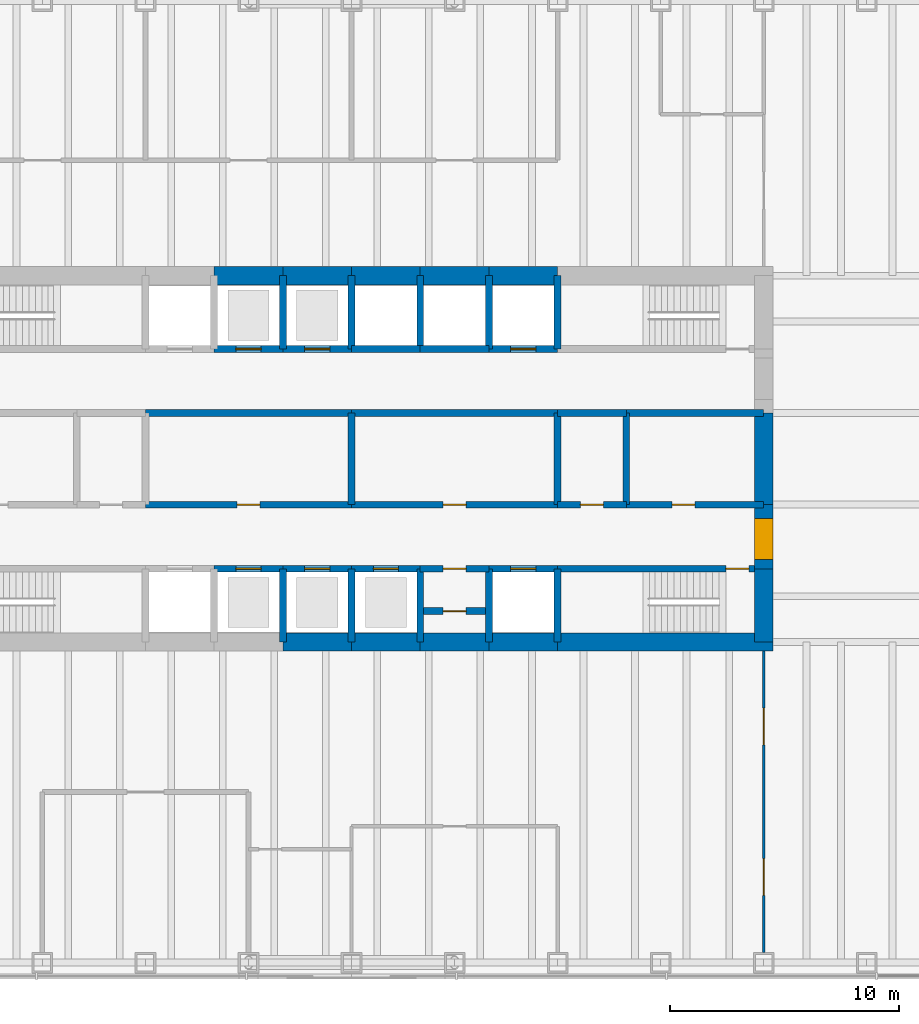
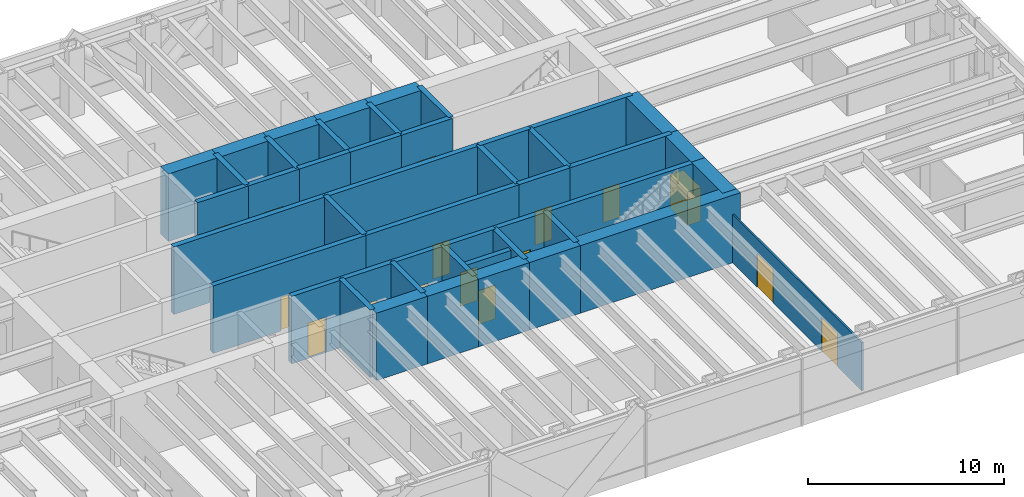
# One storey, part 10 of 14: 47 walls, 17 doors, 17 openings.
"""IFC4 building model written with IfcOpenShell, lengths in metres."""

from ifc_helpers import new_model, si_unit, direction, frame, frame_2d, origin, place, context, subcontext, project, spatial, rectangle, extrude, material, layer, layer_set, type_object, element, fill, save


model = new_model("IFC4")

# Units and contexts
model_context = context("Model", 3, precision=1e-05, world=origin(), true_north=direction((0.0, 1.0)))
body_context = subcontext(model_context, "Body", "Model", "MODEL_VIEW")
ifc_project = project(units=[si_unit("LENGTHUNIT", "METRE"), si_unit("AREAUNIT", "SQUARE_METRE"), si_unit("VOLUMEUNIT", "CUBIC_METRE"), si_unit("PLANEANGLEUNIT", "RADIAN"), si_unit("MASSUNIT", "GRAM", prefix="KILO")], contexts=[model_context])

# Site, building, storey
site_placement = place(None, origin())
site = spatial("IfcSite", under=ifc_project, at=site_placement, CompositionType="ELEMENT")
building_placement = place(site_placement, origin())
building = spatial("IfcBuilding", under=site, at=building_placement, Name="Rheinbord Bourse Tower", CompositionType="ELEMENT")
storey_placement = place(building_placement, frame((0.0, 0.0, 185.800048828125)))
storey = spatial("IfcBuildingStorey", under=building, at=storey_placement, Name="L41", CompositionType="ELEMENT", Elevation=185.800048828125)

# Wall, opening, door
ifc_material_1 = material(Name="Concrete C50/60", Category="concrete")
ifc_layer_1 = layer(ifc_material_1, 0.300048828125)
ifc_layer_set_1 = layer_set([ifc_layer_1], Name="CORE INNER WALL 300")
wall_type_1 = type_object("IfcWallType", Name="CORE INNER WALL 300", PredefinedType="SOLIDWALL", material=ifc_layer_set_1)
wall_1_placement = place(storey_placement, frame((30.0, 19.199951171875, 0.0), z_axis=(0.0, 0.0, 1.0), x_axis=(1.0, 0.0, 0.0)))
wall_1 = element("IfcWall", 1, at=wall_1_placement, inside=storey, type_object=wall_type_1, Name="Core wall A3 L41", PredefinedType="SOLIDWALL", context=body_context, shape_type="SweptSolid", body=[
    extrude(rectangle(XDim=3.0, YDim=0.300048828125, at=frame_2d((1.5, 0.0))), origin(), (0.0, 0.0, 1.0), 4.199951171875),
])
opening_1_placement = place(wall_1_placement, frame((0.949951171875, 0.0, 0.0)))
opening_1 = element("IfcOpeningElement", 2, at=opening_1_placement, cuts=wall_1, Name="Opening PC1", PredefinedType="OPENING", context=body_context, shape_type="SweptSolid", body=[
    extrude(rectangle(XDim=1.10009765625, YDim=2.199951171875, at=frame_2d((0.550048828125, 1.10009765625))), frame((0.0, 0.159912109375, 0.0), z_axis=(0.0, -1.0, 0.0), x_axis=(1.0, 0.0, 0.0)), (0.0, 0.0, 1.0), 0.320068359375),
])
ifc_material_2 = material(Name="Steel landing door", Category="steel")
door_type_1 = type_object("IfcDoorType", Name="LIFT LANDING DOOR 1100", OperationType="DOUBLE_DOOR_SLIDING", PredefinedType="USERDEFINED", material=ifc_material_2)
door_1_placement = place(opening_1_placement, origin())
door_1 = element("IfcDoor", 3, at=door_1_placement, inside=storey, type_object=door_type_1, Name="Lift landing door PC1 L41", ObjectType="LIFT LANDING DOOR", OperationType="DOUBLE_DOOR_SLIDING", OverallHeight=2.199951171875, OverallWidth=1.10009765625, PredefinedType="USERDEFINED", context=body_context, shape_type="SweptSolid", body=[
    extrude(rectangle(XDim=1.10009765625, YDim=2.199951171875, at=frame_2d((0.550048828125, 1.10009765625))), frame((0.0, 0.02490234375, 0.0), z_axis=(0.0, -1.0, 0.0), x_axis=(1.0, 0.0, 0.0)), (0.0, 0.0, 1.0), 0.050048828125),
])
fill(opening_1, door_1)

wall_2_placement = place(storey_placement, frame((33.0, 19.199951171875, 0.0), z_axis=(0.0, 0.0, 1.0), x_axis=(1.0, 0.0, 0.0)))
wall_2 = element("IfcWall", 4, at=wall_2_placement, inside=storey, type_object=wall_type_1, Name="Core wall A4 L41", PredefinedType="SOLIDWALL", context=body_context, shape_type="SweptSolid", body=[
    extrude(rectangle(XDim=3.0, YDim=0.300048828125, at=frame_2d((1.5, 0.0))), origin(), (0.0, 0.0, 1.0), 4.199951171875),
])
opening_2_placement = place(wall_2_placement, frame((0.949951171875, 0.0, 0.0)))
opening_2 = element("IfcOpeningElement", 5, at=opening_2_placement, cuts=wall_2, Name="Opening PC2", PredefinedType="OPENING", context=body_context, shape_type="SweptSolid", body=[
    extrude(rectangle(XDim=1.10009765625, YDim=2.199951171875, at=frame_2d((0.550048828125, 1.10009765625))), frame((0.0, 0.159912109375, 0.0), z_axis=(0.0, -1.0, 0.0), x_axis=(1.0, 0.0, 0.0)), (0.0, 0.0, 1.0), 0.320068359375),
])
door_2_placement = place(opening_2_placement, origin())
door_2 = element("IfcDoor", 6, at=door_2_placement, inside=storey, type_object=door_type_1, Name="Lift landing door PC2 L41", ObjectType="LIFT LANDING DOOR", OperationType="DOUBLE_DOOR_SLIDING", OverallHeight=2.199951171875, OverallWidth=1.10009765625, PredefinedType="USERDEFINED", context=body_context, shape_type="SweptSolid", body=[
    extrude(rectangle(XDim=1.10009765625, YDim=2.199951171875, at=frame_2d((0.550048828125, 1.10009765625))), frame((0.0, 0.02490234375, 0.0), z_axis=(0.0, -1.0, 0.0), x_axis=(1.0, 0.0, 0.0)), (0.0, 0.0, 1.0), 0.050048828125),
])
fill(opening_2, door_2)

wall_3_placement = place(storey_placement, frame((36.0, 19.199951171875, 0.0), z_axis=(0.0, 0.0, 1.0), x_axis=(1.0, 0.0, 0.0)))
wall_3 = element("IfcWall", 7, at=wall_3_placement, inside=storey, type_object=wall_type_1, Name="Core wall A5 L41", PredefinedType="SOLIDWALL", context=body_context, shape_type="SweptSolid", body=[
    extrude(rectangle(XDim=3.0, YDim=0.300048828125, at=frame_2d((1.5, 0.0))), origin(), (0.0, 0.0, 1.0), 4.199951171875),
])
opening_3_placement = place(wall_3_placement, frame((0.949951171875, 0.0, 0.0)))
opening_3 = element("IfcOpeningElement", 8, at=opening_3_placement, cuts=wall_3, Name="Opening PC3", PredefinedType="OPENING", context=body_context, shape_type="SweptSolid", body=[
    extrude(rectangle(XDim=1.10009765625, YDim=2.199951171875, at=frame_2d((0.550048828125, 1.10009765625))), frame((0.0, 0.159912109375, 0.0), z_axis=(0.0, -1.0, 0.0), x_axis=(1.0, 0.0, 0.0)), (0.0, 0.0, 1.0), 0.320068359375),
])
door_3_placement = place(opening_3_placement, origin())
door_3 = element("IfcDoor", 9, at=door_3_placement, inside=storey, type_object=door_type_1, Name="Lift landing door PC3 L41", ObjectType="LIFT LANDING DOOR", OperationType="DOUBLE_DOOR_SLIDING", OverallHeight=2.199951171875, OverallWidth=1.10009765625, PredefinedType="USERDEFINED", context=body_context, shape_type="SweptSolid", body=[
    extrude(rectangle(XDim=1.10009765625, YDim=2.199951171875, at=frame_2d((0.550048828125, 1.10009765625))), frame((0.0, 0.02490234375, 0.0), z_axis=(0.0, -1.0, 0.0), x_axis=(1.0, 0.0, 0.0)), (0.0, 0.0, 1.0), 0.050048828125),
])
fill(opening_3, door_3)

wall_4_placement = place(storey_placement, frame((39.0, 19.199951171875, 0.0), z_axis=(0.0, 0.0, 1.0), x_axis=(1.0, 0.0, 0.0)))
wall_4 = element("IfcWall", 10, at=wall_4_placement, inside=storey, type_object=wall_type_1, Name="Core wall A6 L41", PredefinedType="SOLIDWALL", context=body_context, shape_type="SweptSolid", body=[
    extrude(rectangle(XDim=3.0, YDim=0.300048828125, at=frame_2d((1.5, 0.0))), origin(), (0.0, 0.0, 1.0), 4.199951171875),
])
opening_4_placement = place(wall_4_placement, frame((1.0, 0.0, 0.0)))
opening_4 = element("IfcOpeningElement", 11, at=opening_4_placement, cuts=wall_4, Name="Opening 41R8", PredefinedType="OPENING", context=body_context, shape_type="SweptSolid", body=[
    extrude(rectangle(XDim=1.0, YDim=2.10009765625, at=frame_2d((0.5, 1.050048828125))), frame((0.0, 0.159912109375, 0.0), z_axis=(0.0, -1.0, 0.0), x_axis=(1.0, 0.0, 0.0)), (0.0, 0.0, 1.0), 0.320068359375),
])
ifc_material_3 = material(Name="Steel door", Category="steel")
door_type_2 = type_object("IfcDoorType", Name="DOOR 1000 EI30", OperationType="SINGLE_SWING_LEFT", PredefinedType="DOOR", material=ifc_material_3)
door_4_placement = place(opening_4_placement, origin())
door_4 = element("IfcDoor", 12, at=door_4_placement, inside=storey, type_object=door_type_2, Name="Cleaner's store door L41", OperationType="SINGLE_SWING_LEFT", OverallHeight=2.10009765625, OverallWidth=1.0, PredefinedType="DOOR", context=body_context, shape_type="SweptSolid", body=[
    extrude(rectangle(XDim=1.0, YDim=2.10009765625, at=frame_2d((0.5, 1.050048828125))), frame((0.0, 0.02490234375, 0.0), z_axis=(0.0, -1.0, 0.0), x_axis=(1.0, 0.0, 0.0)), (0.0, 0.0, 1.0), 0.050048828125),
])
fill(opening_4, door_4)

wall_5_placement = place(storey_placement, frame((42.0, 19.199951171875, 0.0), z_axis=(0.0, 0.0, 1.0), x_axis=(1.0, 0.0, 0.0)))
wall_5 = element("IfcWall", 13, at=wall_5_placement, inside=storey, type_object=wall_type_1, Name="Core wall A7 L41", PredefinedType="SOLIDWALL", context=body_context, shape_type="SweptSolid", body=[
    extrude(rectangle(XDim=3.0, YDim=0.300048828125, at=frame_2d((1.5, 0.0))), origin(), (0.0, 0.0, 1.0), 4.199951171875),
])
opening_5_placement = place(wall_5_placement, frame((0.949951171875, 0.0, 0.0)))
opening_5 = element("IfcOpeningElement", 14, at=opening_5_placement, cuts=wall_5, Name="Opening SL2", PredefinedType="OPENING", context=body_context, shape_type="SweptSolid", body=[
    extrude(rectangle(XDim=1.10009765625, YDim=2.199951171875, at=frame_2d((0.550048828125, 1.10009765625))), frame((0.0, 0.159912109375, 0.0), z_axis=(0.0, -1.0, 0.0), x_axis=(1.0, 0.0, 0.0)), (0.0, 0.0, 1.0), 0.320068359375),
])
door_5_placement = place(opening_5_placement, origin())
door_5 = element("IfcDoor", 15, at=door_5_placement, inside=storey, type_object=door_type_1, Name="Lift landing door SL2 L41", ObjectType="LIFT LANDING DOOR", OperationType="DOUBLE_DOOR_SLIDING", OverallHeight=2.199951171875, OverallWidth=1.10009765625, PredefinedType="USERDEFINED", context=body_context, shape_type="SweptSolid", body=[
    extrude(rectangle(XDim=1.10009765625, YDim=2.199951171875, at=frame_2d((0.550048828125, 1.10009765625))), frame((0.0, 0.02490234375, 0.0), z_axis=(0.0, -1.0, 0.0), x_axis=(1.0, 0.0, 0.0)), (0.0, 0.0, 1.0), 0.050048828125),
])
fill(opening_5, door_5)

wall_6_placement = place(storey_placement, frame((45.0, 19.199951171875, 0.0), z_axis=(0.0, 0.0, 1.0), x_axis=(1.0, 0.0, 0.0)))
wall_6 = element("IfcWall", 16, at=wall_6_placement, inside=storey, type_object=wall_type_1, Name="Core wall A8 L41", PredefinedType="SOLIDWALL", context=body_context, shape_type="SweptSolid", body=[
    extrude(rectangle(XDim=9.0, YDim=0.300048828125, at=frame_2d((4.5, 0.0))), origin(), (0.0, 0.0, 1.0), 4.199951171875),
])
opening_6_placement = place(wall_6_placement, frame((7.35009765625, 0.0, 0.0)))
opening_6 = element("IfcOpeningElement", 17, at=opening_6_placement, cuts=wall_6, Name="Opening 4130", PredefinedType="OPENING", context=body_context, shape_type="SweptSolid", body=[
    extrude(rectangle(XDim=1.0, YDim=2.10009765625, at=frame_2d((0.5, 1.050048828125))), frame((0.0, 0.159912109375, 0.0), z_axis=(0.0, -1.0, 0.0), x_axis=(1.0, 0.0, 0.0)), (0.0, 0.0, 1.0), 0.320068359375),
])
door_6_placement = place(opening_6_placement, origin())
door_6 = element("IfcDoor", 18, at=door_6_placement, inside=storey, type_object=door_type_2, Name="Stair door ST3 L41", OperationType="SINGLE_SWING_RIGHT", OverallHeight=2.10009765625, OverallWidth=1.0, PredefinedType="DOOR", context=body_context, shape_type="SweptSolid", body=[
    extrude(rectangle(XDim=1.0, YDim=2.10009765625, at=frame_2d((0.5, 1.050048828125))), frame((0.0, 0.02490234375, 0.0), z_axis=(0.0, -1.0, 0.0), x_axis=(1.0, 0.0, 0.0)), (0.0, 0.0, 1.0), 0.050048828125),
])
fill(opening_6, door_6)

wall_7_placement = place(storey_placement, frame((30.0, 28.800048828125, 0.0), z_axis=(0.0, 0.0, 1.0), x_axis=(1.0, 0.0, 0.0)))
wall_7 = element("IfcWall", 19, at=wall_7_placement, inside=storey, type_object=wall_type_1, Name="Core wall B3 L41", PredefinedType="SOLIDWALL", context=body_context, shape_type="SweptSolid", body=[
    extrude(rectangle(XDim=3.0, YDim=0.300048828125, at=frame_2d((1.5, 0.0))), origin(), (0.0, 0.0, 1.0), 4.199951171875),
])
opening_7_placement = place(wall_7_placement, frame((0.949951171875, 0.0, 0.0)))
opening_7 = element("IfcOpeningElement", 20, at=opening_7_placement, cuts=wall_7, Name="Opening PC4", PredefinedType="OPENING", context=body_context, shape_type="SweptSolid", body=[
    extrude(rectangle(XDim=1.10009765625, YDim=2.199951171875, at=frame_2d((0.550048828125, 1.10009765625))), frame((0.0, 0.159912109375, 0.0), z_axis=(0.0, -1.0, 0.0), x_axis=(1.0, 0.0, 0.0)), (0.0, 0.0, 1.0), 0.320068359375),
])
door_7_placement = place(opening_7_placement, origin())
door_7 = element("IfcDoor", 21, at=door_7_placement, inside=storey, type_object=door_type_1, Name="Lift landing door PC4 L41", ObjectType="LIFT LANDING DOOR", OperationType="DOUBLE_DOOR_SLIDING", OverallHeight=2.199951171875, OverallWidth=1.10009765625, PredefinedType="USERDEFINED", context=body_context, shape_type="SweptSolid", body=[
    extrude(rectangle(XDim=1.10009765625, YDim=2.199951171875, at=frame_2d((0.550048828125, 1.10009765625))), frame((0.0, 0.02490234375, 0.0), z_axis=(0.0, -1.0, 0.0), x_axis=(1.0, 0.0, 0.0)), (0.0, 0.0, 1.0), 0.050048828125),
])
fill(opening_7, door_7)

wall_8_placement = place(storey_placement, frame((33.0, 28.800048828125, 0.0), z_axis=(0.0, 0.0, 1.0), x_axis=(1.0, 0.0, 0.0)))
wall_8 = element("IfcWall", 22, at=wall_8_placement, inside=storey, type_object=wall_type_1, Name="Core wall B4 L41", PredefinedType="SOLIDWALL", context=body_context, shape_type="SweptSolid", body=[
    extrude(rectangle(XDim=3.0, YDim=0.300048828125, at=frame_2d((1.5, 0.0))), origin(), (0.0, 0.0, 1.0), 4.199951171875),
])
opening_8_placement = place(wall_8_placement, frame((0.949951171875, 0.0, 0.0)))
opening_8 = element("IfcOpeningElement", 23, at=opening_8_placement, cuts=wall_8, Name="Opening PC5", PredefinedType="OPENING", context=body_context, shape_type="SweptSolid", body=[
    extrude(rectangle(XDim=1.10009765625, YDim=2.199951171875, at=frame_2d((0.550048828125, 1.10009765625))), frame((0.0, 0.159912109375, 0.0), z_axis=(0.0, -1.0, 0.0), x_axis=(1.0, 0.0, 0.0)), (0.0, 0.0, 1.0), 0.320068359375),
])
door_8_placement = place(opening_8_placement, origin())
door_8 = element("IfcDoor", 24, at=door_8_placement, inside=storey, type_object=door_type_1, Name="Lift landing door PC5 L41", ObjectType="LIFT LANDING DOOR", OperationType="DOUBLE_DOOR_SLIDING", OverallHeight=2.199951171875, OverallWidth=1.10009765625, PredefinedType="USERDEFINED", context=body_context, shape_type="SweptSolid", body=[
    extrude(rectangle(XDim=1.10009765625, YDim=2.199951171875, at=frame_2d((0.550048828125, 1.10009765625))), frame((0.0, 0.02490234375, 0.0), z_axis=(0.0, -1.0, 0.0), x_axis=(1.0, 0.0, 0.0)), (0.0, 0.0, 1.0), 0.050048828125),
])
fill(opening_8, door_8)

# Walls
for number, where, z_axis, x_axis, name in (
    (25, (36.0, 28.800048828125, 0.0), (0.0, 0.0, 1.0), (1.0, 0.0, 0.0), "Core wall B5 L41"),
    (26, (39.0, 28.800048828125, 0.0), (0.0, 0.0, 1.0), (1.0, 0.0, 0.0), "Core wall B6 L41"),
):
    element("IfcWall", number, at=place(storey_placement, frame(where, z_axis=z_axis, x_axis=x_axis)), inside=storey, type_object=wall_type_1, Name=name, PredefinedType="SOLIDWALL", context=body_context, shape_type="SweptSolid", body=[
        extrude(rectangle(XDim=3.0, YDim=0.300048828125, at=frame_2d((1.5, 0.0))), origin(), (0.0, 0.0, 1.0), 4.199951171875),
    ])

# Wall, opening, door
wall_9_placement = place(storey_placement, frame((42.0, 28.800048828125, 0.0), z_axis=(0.0, 0.0, 1.0), x_axis=(1.0, 0.0, 0.0)))
wall_9 = element("IfcWall", 27, at=wall_9_placement, inside=storey, type_object=wall_type_1, Name="Core wall B7 L41", PredefinedType="SOLIDWALL", context=body_context, shape_type="SweptSolid", body=[
    extrude(rectangle(XDim=3.0, YDim=0.300048828125, at=frame_2d((1.5, 0.0))), origin(), (0.0, 0.0, 1.0), 4.199951171875),
])
opening_9_placement = place(wall_9_placement, frame((0.949951171875, 0.0, 0.0)))
opening_9 = element("IfcOpeningElement", 28, at=opening_9_placement, cuts=wall_9, Name="Opening FL2", PredefinedType="OPENING", context=body_context, shape_type="SweptSolid", body=[
    extrude(rectangle(XDim=1.10009765625, YDim=2.199951171875, at=frame_2d((0.550048828125, 1.10009765625))), frame((0.0, 0.159912109375, 0.0), z_axis=(0.0, -1.0, 0.0), x_axis=(1.0, 0.0, 0.0)), (0.0, 0.0, 1.0), 0.320068359375),
])
door_9_placement = place(opening_9_placement, origin())
door_9 = element("IfcDoor", 29, at=door_9_placement, inside=storey, type_object=door_type_1, Name="Lift landing door FL2 L41", ObjectType="LIFT LANDING DOOR", OperationType="DOUBLE_DOOR_SLIDING", OverallHeight=2.199951171875, OverallWidth=1.10009765625, PredefinedType="USERDEFINED", context=body_context, shape_type="SweptSolid", body=[
    extrude(rectangle(XDim=1.10009765625, YDim=2.199951171875, at=frame_2d((0.550048828125, 1.10009765625))), frame((0.0, 0.02490234375, 0.0), z_axis=(0.0, -1.0, 0.0), x_axis=(1.0, 0.0, 0.0)), (0.0, 0.0, 1.0), 0.050048828125),
])
fill(opening_9, door_9)

wall_10_placement = place(storey_placement, frame((27.0, 22.0, 0.0), z_axis=(0.0, 0.0, 1.0), x_axis=(1.0, 0.0, 0.0)))
wall_10 = element("IfcWall", 30, at=wall_10_placement, inside=storey, type_object=wall_type_1, Name="Core wall C3 L41", PredefinedType="SOLIDWALL", context=body_context, shape_type="SweptSolid", body=[
    extrude(rectangle(XDim=9.0, YDim=0.300048828125, at=frame_2d((4.5, 0.0))), origin(), (0.0, 0.0, 1.0), 4.199951171875),
])
opening_10_placement = place(wall_10_placement, frame((4.0, 0.0, 0.0)))
opening_10 = element("IfcOpeningElement", 31, at=opening_10_placement, cuts=wall_10, Name="Opening 41R3", PredefinedType="OPENING", context=body_context, shape_type="SweptSolid", body=[
    extrude(rectangle(XDim=1.0, YDim=2.10009765625, at=frame_2d((0.5, 1.050048828125))), frame((0.0, 0.159912109375, 0.0), z_axis=(0.0, -1.0, 0.0), x_axis=(1.0, 0.0, 0.0)), (0.0, 0.0, 1.0), 0.320068359375),
])
door_10_placement = place(opening_10_placement, origin())
door_10 = element("IfcDoor", 32, at=door_10_placement, inside=storey, type_object=door_type_2, Name="Riser door L41", OperationType="SINGLE_SWING_LEFT", OverallHeight=2.10009765625, OverallWidth=1.0, PredefinedType="DOOR", context=body_context, shape_type="SweptSolid", body=[
    extrude(rectangle(XDim=1.0, YDim=2.10009765625, at=frame_2d((0.5, 1.050048828125))), frame((0.0, 0.02490234375, 0.0), z_axis=(0.0, -1.0, 0.0), x_axis=(1.0, 0.0, 0.0)), (0.0, 0.0, 1.0), 0.050048828125),
])
fill(opening_10, door_10)

wall_11_placement = place(storey_placement, frame((36.0, 22.0, 0.0), z_axis=(0.0, 0.0, 1.0), x_axis=(1.0, 0.0, 0.0)))
wall_11 = element("IfcWall", 33, at=wall_11_placement, inside=storey, type_object=wall_type_1, Name="Core wall C4 L41", PredefinedType="SOLIDWALL", context=body_context, shape_type="SweptSolid", body=[
    extrude(rectangle(XDim=9.0, YDim=0.300048828125, at=frame_2d((4.5, 0.0))), origin(), (0.0, 0.0, 1.0), 4.199951171875),
])
opening_11_placement = place(wall_11_placement, frame((4.0, 0.0, 0.0)))
opening_11 = element("IfcOpeningElement", 34, at=opening_11_placement, cuts=wall_11, Name="Opening 41R4", PredefinedType="OPENING", context=body_context, shape_type="SweptSolid", body=[
    extrude(rectangle(XDim=1.0, YDim=2.10009765625, at=frame_2d((0.5, 1.050048828125))), frame((0.0, 0.159912109375, 0.0), z_axis=(0.0, -1.0, 0.0), x_axis=(1.0, 0.0, 0.0)), (0.0, 0.0, 1.0), 0.320068359375),
])
door_11_placement = place(opening_11_placement, origin())
door_11 = element("IfcDoor", 35, at=door_11_placement, inside=storey, type_object=door_type_2, Name="Store door L41", OperationType="SINGLE_SWING_LEFT", OverallHeight=2.10009765625, OverallWidth=1.0, PredefinedType="DOOR", context=body_context, shape_type="SweptSolid", body=[
    extrude(rectangle(XDim=1.0, YDim=2.10009765625, at=frame_2d((0.5, 1.050048828125))), frame((0.0, 0.02490234375, 0.0), z_axis=(0.0, -1.0, 0.0), x_axis=(1.0, 0.0, 0.0)), (0.0, 0.0, 1.0), 0.050048828125),
])
fill(opening_11, door_11)

wall_12_placement = place(storey_placement, frame((45.0, 22.0, 0.0), z_axis=(0.0, 0.0, 1.0), x_axis=(1.0, 0.0, 0.0)))
wall_12 = element("IfcWall", 36, at=wall_12_placement, inside=storey, type_object=wall_type_1, Name="Core wall C5 L41", PredefinedType="SOLIDWALL", context=body_context, shape_type="SweptSolid", body=[
    extrude(rectangle(XDim=3.0, YDim=0.300048828125, at=frame_2d((1.5, 0.0))), origin(), (0.0, 0.0, 1.0), 4.199951171875),
])
opening_12_placement = place(wall_12_placement, frame((1.0, 0.0, 0.0)))
opening_12 = element("IfcOpeningElement", 37, at=opening_12_placement, cuts=wall_12, Name="Opening 41R5", PredefinedType="OPENING", context=body_context, shape_type="SweptSolid", body=[
    extrude(rectangle(XDim=1.0, YDim=2.10009765625, at=frame_2d((0.5, 1.050048828125))), frame((0.0, 0.159912109375, 0.0), z_axis=(0.0, -1.0, 0.0), x_axis=(1.0, 0.0, 0.0)), (0.0, 0.0, 1.0), 0.320068359375),
])
ifc_material_4 = material(Name="Timber door", Category="wood")
door_type_3 = type_object("IfcDoorType", Name="DOOR 1000 WC", OperationType="SINGLE_SWING_LEFT", PredefinedType="DOOR", material=ifc_material_4)
door_12_placement = place(opening_12_placement, origin())
door_12 = element("IfcDoor", 38, at=door_12_placement, inside=storey, type_object=door_type_3, Name="Accessible WC door L41", OperationType="SINGLE_SWING_LEFT", OverallHeight=2.10009765625, OverallWidth=1.0, PredefinedType="DOOR", context=body_context, shape_type="SweptSolid", body=[
    extrude(rectangle(XDim=1.0, YDim=2.10009765625, at=frame_2d((0.5, 1.050048828125))), frame((0.0, 0.02490234375, 0.0), z_axis=(0.0, -1.0, 0.0), x_axis=(1.0, 0.0, 0.0)), (0.0, 0.0, 1.0), 0.050048828125),
])
fill(opening_12, door_12)

wall_13_placement = place(storey_placement, frame((48.0, 22.0, 0.0), z_axis=(0.0, 0.0, 1.0), x_axis=(1.0, 0.0, 0.0)))
wall_13 = element("IfcWall", 39, at=wall_13_placement, inside=storey, type_object=wall_type_1, Name="Core wall C6 L41", PredefinedType="SOLIDWALL", context=body_context, shape_type="SweptSolid", body=[
    extrude(rectangle(XDim=6.0, YDim=0.300048828125, at=frame_2d((3.0, 0.0))), origin(), (0.0, 0.0, 1.0), 4.199951171875),
])
opening_13_placement = place(wall_13_placement, frame((2.0, 0.0, 0.0)))
opening_13 = element("IfcOpeningElement", 40, at=opening_13_placement, cuts=wall_13, Name="Opening 41R6", PredefinedType="OPENING", context=body_context, shape_type="SweptSolid", body=[
    extrude(rectangle(XDim=1.0, YDim=2.10009765625, at=frame_2d((0.5, 1.050048828125))), frame((0.0, 0.159912109375, 0.0), z_axis=(0.0, -1.0, 0.0), x_axis=(1.0, 0.0, 0.0)), (0.0, 0.0, 1.0), 0.320068359375),
])
door_13_placement = place(opening_13_placement, origin())
door_13 = element("IfcDoor", 41, at=door_13_placement, inside=storey, type_object=door_type_3, Name="WC women door L41", OperationType="SINGLE_SWING_LEFT", OverallHeight=2.10009765625, OverallWidth=1.0, PredefinedType="DOOR", context=body_context, shape_type="SweptSolid", body=[
    extrude(rectangle(XDim=1.0, YDim=2.10009765625, at=frame_2d((0.5, 1.050048828125))), frame((0.0, 0.02490234375, 0.0), z_axis=(0.0, -1.0, 0.0), x_axis=(1.0, 0.0, 0.0)), (0.0, 0.0, 1.0), 0.050048828125),
])
fill(opening_13, door_13)

# Walls
for number, where, z_axis, x_axis, name in (
    (42, (27.0, 26.0, 0.0), (0.0, 0.0, 1.0), (1.0, 0.0, 0.0), "Core wall D3 L41"),
    (43, (36.0, 26.0, 0.0), (0.0, 0.0, 1.0), (1.0, 0.0, 0.0), "Core wall D4 L41"),
):
    element("IfcWall", number, at=place(storey_placement, frame(where, z_axis=z_axis, x_axis=x_axis)), inside=storey, type_object=wall_type_1, Name=name, PredefinedType="SOLIDWALL", context=body_context, shape_type="SweptSolid", body=[
        extrude(rectangle(XDim=9.0, YDim=0.300048828125, at=frame_2d((4.5, 0.0))), origin(), (0.0, 0.0, 1.0), 4.199951171875),
    ])
wall_14_placement = place(storey_placement, frame((45.0, 26.0, 0.0), z_axis=(0.0, 0.0, 1.0), x_axis=(1.0, 0.0, 0.0)))
element("IfcWall", 44, at=wall_14_placement, inside=storey, type_object=wall_type_1, Name="Core wall D5 L41", PredefinedType="SOLIDWALL", context=body_context, shape_type="SweptSolid", body=[
    extrude(rectangle(XDim=3.0, YDim=0.300048828125, at=frame_2d((1.5, 0.0))), origin(), (0.0, 0.0, 1.0), 4.199951171875),
])
wall_15_placement = place(storey_placement, frame((48.0, 26.0, 0.0), z_axis=(0.0, 0.0, 1.0), x_axis=(1.0, 0.0, 0.0)))
element("IfcWall", 45, at=wall_15_placement, inside=storey, type_object=wall_type_1, Name="Core wall D6 L41", PredefinedType="SOLIDWALL", context=body_context, shape_type="SweptSolid", body=[
    extrude(rectangle(XDim=6.0, YDim=0.300048828125, at=frame_2d((3.0, 0.0))), origin(), (0.0, 0.0, 1.0), 4.199951171875),
])
for number, where, z_axis, x_axis, name in (
    (46, (33.0, 16.0, 0.0), (0.0, 0.0, 1.0), (0.0, 1.0, 0.0), "Core wall SX33 L41"),
    (47, (33.0, 28.800048828125, 0.0), (0.0, 0.0, 1.0), (0.0, 1.0, 0.0), "Core wall NX33 L41"),
    (48, (36.0, 16.0, 0.0), (0.0, 0.0, 1.0), (0.0, 1.0, 0.0), "Core wall SX36 L41"),
    (49, (36.0, 28.800048828125, 0.0), (0.0, 0.0, 1.0), (0.0, 1.0, 0.0), "Core wall NX36 L41"),
    (50, (39.0, 16.0, 0.0), (0.0, 0.0, 1.0), (0.0, 1.0, 0.0), "Core wall SX39 L41"),
    (51, (39.0, 28.800048828125, 0.0), (0.0, 0.0, 1.0), (0.0, 1.0, 0.0), "Core wall NX39 L41"),
    (52, (42.0, 16.0, 0.0), (0.0, 0.0, 1.0), (0.0, 1.0, 0.0), "Core wall SX42 L41"),
    (53, (42.0, 28.800048828125, 0.0), (0.0, 0.0, 1.0), (0.0, 1.0, 0.0), "Core wall NX42 L41"),
    (54, (45.0, 16.0, 0.0), (0.0, 0.0, 1.0), (0.0, 1.0, 0.0), "Core wall SX45 L41"),
    (55, (45.0, 28.800048828125, 0.0), (0.0, 0.0, 1.0), (0.0, 1.0, 0.0), "Core wall NX45 L41"),
):
    element("IfcWall", number, at=place(storey_placement, frame(where, z_axis=z_axis, x_axis=x_axis)), inside=storey, type_object=wall_type_1, Name=name, PredefinedType="SOLIDWALL", context=body_context, shape_type="SweptSolid", body=[
        extrude(rectangle(XDim=3.199951171875, YDim=0.300048828125, at=frame_2d((1.60009765625, 0.0))), origin(), (0.0, 0.0, 1.0), 4.199951171875),
    ])
for number, where, z_axis, x_axis, name in (
    (56, (36.0, 22.0, 0.0), (0.0, 0.0, 1.0), (0.0, 1.0, 0.0), "Core wall MX36 L41"),
    (57, (45.0, 22.0, 0.0), (0.0, 0.0, 1.0), (0.0, 1.0, 0.0), "Core wall MX45 L41"),
    (58, (48.0, 22.0, 0.0), (0.0, 0.0, 1.0), (0.0, 1.0, 0.0), "Core wall MX48 L41"),
):
    element("IfcWall", number, at=place(storey_placement, frame(where, z_axis=z_axis, x_axis=x_axis)), inside=storey, type_object=wall_type_1, Name=name, PredefinedType="SOLIDWALL", context=body_context, shape_type="SweptSolid", body=[
        extrude(rectangle(XDim=4.0, YDim=0.300048828125, at=frame_2d((2.0, 0.0))), origin(), (0.0, 0.0, 1.0), 4.199951171875),
    ])

# Wall, opening, door
wall_16_placement = place(storey_placement, frame((39.14990234375, 17.35009765625, 0.0), z_axis=(0.0, 0.0, 1.0), x_axis=(1.0, 0.0, 0.0)))
wall_16 = element("IfcWall", 59, at=wall_16_placement, inside=storey, type_object=wall_type_1, Name="Core riser wall L41-6", PredefinedType="SOLIDWALL", context=body_context, shape_type="SweptSolid", body=[
    extrude(rectangle(XDim=2.7001953125, YDim=0.300048828125, at=frame_2d((1.35009765625, 0.0))), origin(), (0.0, 0.0, 1.0), 4.0400390625),
])
opening_14_placement = place(wall_16_placement, frame((0.85009765625, 0.0, 0.0)))
opening_14 = element("IfcOpeningElement", 60, at=opening_14_placement, cuts=wall_16, Name="Opening 41R12", PredefinedType="OPENING", context=body_context, shape_type="SweptSolid", body=[
    extrude(rectangle(XDim=1.0, YDim=2.10009765625, at=frame_2d((0.5, 1.050048828125))), frame((0.0, 0.159912109375, 0.0), z_axis=(0.0, -1.0, 0.0), x_axis=(1.0, 0.0, 0.0)), (0.0, 0.0, 1.0), 0.320068359375),
])
door_14_placement = place(opening_14_placement, origin())
door_14 = element("IfcDoor", 61, at=door_14_placement, inside=storey, type_object=door_type_2, Name="Comms riser door L41", OperationType="SINGLE_SWING_LEFT", OverallHeight=2.10009765625, OverallWidth=1.0, PredefinedType="DOOR", context=body_context, shape_type="SweptSolid", body=[
    extrude(rectangle(XDim=1.0, YDim=2.10009765625, at=frame_2d((0.5, 1.050048828125))), frame((0.0, 0.02490234375, 0.0), z_axis=(0.0, -1.0, 0.0), x_axis=(1.0, 0.0, 0.0)), (0.0, 0.0, 1.0), 0.050048828125),
])
fill(opening_14, door_14)

# Walls
ifc_material_5 = material(Name="Concrete C50/60", Category="concrete")
ifc_layer_2 = layer(ifc_material_5, 0.800048828125)
ifc_layer_set_2 = layer_set([ifc_layer_2], Name="CORE WALL 800")
wall_type_2 = type_object("IfcWallType", Name="CORE WALL 800", PredefinedType="SHEAR", material=ifc_layer_set_2)
for number, where, z_axis, x_axis, name in (
    (62, (33.0, 16.0, 0.0), (0.0, 0.0, 1.0), (1.0, 0.0, 0.0), "Core wall S4 L41"),
    (63, (36.0, 16.0, 0.0), (0.0, 0.0, 1.0), (1.0, 0.0, 0.0), "Core wall S5 L41"),
    (64, (39.0, 16.0, 0.0), (0.0, 0.0, 1.0), (1.0, 0.0, 0.0), "Core wall S6 L41"),
    (65, (42.0, 16.0, 0.0), (0.0, 0.0, 1.0), (1.0, 0.0, 0.0), "Core wall S7 L41"),
):
    element("IfcWall", number, at=place(storey_placement, frame(where, z_axis=z_axis, x_axis=x_axis)), inside=storey, type_object=wall_type_2, Name=name, PredefinedType="SHEAR", context=body_context, shape_type="SweptSolid", body=[
        extrude(rectangle(XDim=3.0, YDim=0.800048828125, at=frame_2d((1.5, 0.0))), origin(), (0.0, 0.0, 1.0), 4.199951171875),
    ])
wall_17_placement = place(storey_placement, frame((45.0, 16.0, 0.0), z_axis=(0.0, 0.0, 1.0), x_axis=(1.0, 0.0, 0.0)))
element("IfcWall", 66, at=wall_17_placement, inside=storey, type_object=wall_type_2, Name="Core wall S8 L41", PredefinedType="SHEAR", context=body_context, shape_type="SweptSolid", body=[
    extrude(rectangle(XDim=9.39990234375, YDim=0.800048828125, at=frame_2d((4.699951171875, 0.0))), origin(), (0.0, 0.0, 1.0), 4.199951171875),
])
for number, where, z_axis, x_axis, name in (
    (67, (45.0, 32.0, 0.0), (0.0, 0.0, 1.0), (-1.0, 0.0, 0.0), "Core wall N2 L41"),
    (68, (42.0, 32.0, 0.0), (0.0, 0.0, 1.0), (-1.0, 0.0, 0.0), "Core wall N3 L41"),
    (69, (39.0, 32.0, 0.0), (0.0, 0.0, 1.0), (-1.0, 0.0, 0.0), "Core wall N4 L41"),
    (70, (36.0, 32.0, 0.0), (0.0, 0.0, 1.0), (-1.0, 0.0, 0.0), "Core wall N5 L41"),
    (71, (33.0, 32.0, 0.0), (0.0, 0.0, 1.0), (-1.0, 0.0, 0.0), "Core wall N6 L41"),
):
    element("IfcWall", number, at=place(storey_placement, frame(where, z_axis=z_axis, x_axis=x_axis)), inside=storey, type_object=wall_type_2, Name=name, PredefinedType="SHEAR", context=body_context, shape_type="SweptSolid", body=[
        extrude(rectangle(XDim=3.0, YDim=0.800048828125, at=frame_2d((1.5, 0.0))), origin(), (0.0, 0.0, 1.0), 4.199951171875),
    ])
wall_18_placement = place(storey_placement, frame((54.0, 16.0, 0.0), z_axis=(0.0, 0.0, 1.0), x_axis=(0.0, 1.0, 0.0)))
element("IfcWall", 72, at=wall_18_placement, inside=storey, type_object=wall_type_2, Name="Core wall E1 L41", PredefinedType="SHEAR", context=body_context, shape_type="SweptSolid", body=[
    extrude(rectangle(XDim=3.199951171875, YDim=0.800048828125, at=frame_2d((1.60009765625, 0.0))), origin(), (0.0, 0.0, 1.0), 4.199951171875),
])

# Wall, opening, door
wall_19_placement = place(storey_placement, frame((54.0, 19.199951171875, 0.0), z_axis=(0.0, 0.0, 1.0), x_axis=(0.0, 1.0, 0.0)))
wall_19 = element("IfcWall", 73, at=wall_19_placement, inside=storey, type_object=wall_type_2, Name="Core wall E2 L41", PredefinedType="SHEAR", context=body_context, shape_type="SweptSolid", body=[
    extrude(rectangle(XDim=2.800048828125, YDim=0.800048828125, at=frame_2d((1.39990234375, 0.0))), origin(), (0.0, 0.0, 1.0), 4.199951171875),
])
opening_15_placement = place(wall_19_placement, frame((0.39990234375, 0.0, 0.0)))
opening_15 = element("IfcOpeningElement", 74, at=opening_15_placement, cuts=wall_19, Name="Opening 41L3", PredefinedType="OPENING", context=body_context, shape_type="SweptSolid", body=[
    extrude(rectangle(XDim=1.800048828125, YDim=2.10009765625, at=frame_2d((0.89990234375, 1.050048828125))), frame((0.0, 0.409912109375, 0.0), z_axis=(0.0, -1.0, 0.0), x_axis=(1.0, 0.0, 0.0)), (0.0, 0.0, 1.0), 0.820068359375),
])
ifc_material_6 = material(Name="Steel door", Category="steel")
door_type_4 = type_object("IfcDoorType", Name="DOOR 1800 EI30 DOUBLE", OperationType="DOUBLE_DOOR_DOUBLE_SWING", PredefinedType="DOOR", material=ifc_material_6)
door_15_placement = place(opening_15_placement, origin())
door_15 = element("IfcDoor", 75, at=door_15_placement, inside=storey, type_object=door_type_4, Name="Lobby door 3 L41", OperationType="SINGLE_SWING_LEFT", OverallHeight=2.10009765625, OverallWidth=1.800048828125, PredefinedType="DOOR", context=body_context, shape_type="SweptSolid", body=[
    extrude(rectangle(XDim=1.800048828125, YDim=2.10009765625, at=frame_2d((0.89990234375, 1.050048828125))), frame((0.0, 0.39990234375, 0.0), z_axis=(0.0, -1.0, 0.0), x_axis=(1.0, 0.0, 0.0)), (0.0, 0.0, 1.0), 0.799560546875),
])
fill(opening_15, door_15)

# Wall
wall_20_placement = place(storey_placement, frame((54.0, 22.0, 0.0), z_axis=(0.0, 0.0, 1.0), x_axis=(0.0, 1.0, 0.0)))
element("IfcWall", 76, at=wall_20_placement, inside=storey, type_object=wall_type_2, Name="Core wall E3 L41", PredefinedType="SHEAR", context=body_context, shape_type="SweptSolid", body=[
    extrude(rectangle(XDim=4.0, YDim=0.800048828125, at=frame_2d((2.0, 0.0))), origin(), (0.0, 0.0, 1.0), 4.199951171875),
])

# Wall, openings, doors
ifc_material_7 = material(Name="Toughened laminated glass partition", Category="glass")
ifc_layer_3 = layer(ifc_material_7, 0.10009765625)
ifc_layer_set_3 = layer_set([ifc_layer_3], Name="GLAZED PARTITION 100")
wall_type_3 = type_object("IfcWallType", Name="GLAZED PARTITION 100", PredefinedType="PARTITIONING", material=ifc_layer_set_3)
wall_21_placement = place(storey_placement, frame((54.0, 2.449951171875, 0.0), z_axis=(0.0, 0.0, 1.0), x_axis=(0.0, 1.0, 0.0)))
wall_21 = element("IfcWall", 77, at=wall_21_placement, inside=storey, type_object=wall_type_3, Name="Partition L41-27", PredefinedType="PARTITIONING", context=body_context, shape_type="SweptSolid", body=[
    extrude(rectangle(XDim=13.150146484375, YDim=0.10009765625, at=frame_2d((6.5751953125, 0.0))), origin(), (0.0, 0.0, 1.0), 3.0),
])
opening_16_placement = place(wall_21_placement, frame((2.488037109375, 0.0, 0.0)))
opening_16 = element("IfcOpeningElement", 78, at=opening_16_placement, cuts=wall_21, Name="Opening 41D15", PredefinedType="OPENING", context=body_context, shape_type="SweptSolid", body=[
    extrude(rectangle(XDim=1.60009765625, YDim=2.10009765625, at=frame_2d((0.800048828125, 1.050048828125))), frame((0.0, 0.06005859375, 0.0), z_axis=(0.0, -1.0, 0.0), x_axis=(1.0, 0.0, 0.0)), (0.0, 0.0, 1.0), 0.1201171875),
])
opening_17_placement = place(wall_21_placement, frame((9.06201171875, 0.0, 0.0)))
opening_17 = element("IfcOpeningElement", 79, at=opening_17_placement, cuts=wall_21, Name="Opening 41D16", PredefinedType="OPENING", context=body_context, shape_type="SweptSolid", body=[
    extrude(rectangle(XDim=1.60009765625, YDim=2.10009765625, at=frame_2d((0.800048828125, 1.050048828125))), frame((0.0, 0.06005859375, 0.0), z_axis=(0.0, -1.0, 0.0), x_axis=(1.0, 0.0, 0.0)), (0.0, 0.0, 1.0), 0.1201171875),
])
ifc_material_8 = material(Name="Timber door", Category="wood")
door_type_5 = type_object("IfcDoorType", Name="DOUBLE ROOM DOOR 1600", OperationType="DOUBLE_DOOR_DOUBLE_SWING", PredefinedType="DOOR", material=ifc_material_8)
door_16_placement = place(opening_16_placement, origin())
door_16 = element("IfcDoor", 80, at=door_16_placement, inside=storey, type_object=door_type_5, Name="Open area door L41", OperationType="SINGLE_SWING_LEFT", OverallHeight=2.10009765625, OverallWidth=1.60009765625, PredefinedType="DOOR", context=body_context, shape_type="SweptSolid", body=[
    extrude(rectangle(XDim=1.60009765625, YDim=2.10009765625, at=frame_2d((0.800048828125, 1.050048828125))), frame((0.0, 0.02490234375, 0.0), z_axis=(0.0, -1.0, 0.0), x_axis=(1.0, 0.0, 0.0)), (0.0, 0.0, 1.0), 0.050048828125),
])
fill(opening_16, door_16)
door_17_placement = place(opening_17_placement, origin())
door_17 = element("IfcDoor", 81, at=door_17_placement, inside=storey, type_object=door_type_5, Name="Open area door L41", OperationType="SINGLE_SWING_LEFT", OverallHeight=2.10009765625, OverallWidth=1.60009765625, PredefinedType="DOOR", context=body_context, shape_type="SweptSolid", body=[
    extrude(rectangle(XDim=1.60009765625, YDim=2.10009765625, at=frame_2d((0.800048828125, 1.050048828125))), frame((0.0, 0.02490234375, 0.0), z_axis=(0.0, -1.0, 0.0), x_axis=(1.0, 0.0, 0.0)), (0.0, 0.0, 1.0), 0.050048828125),
])
fill(opening_17, door_17)

save(model, "model.ifc")
